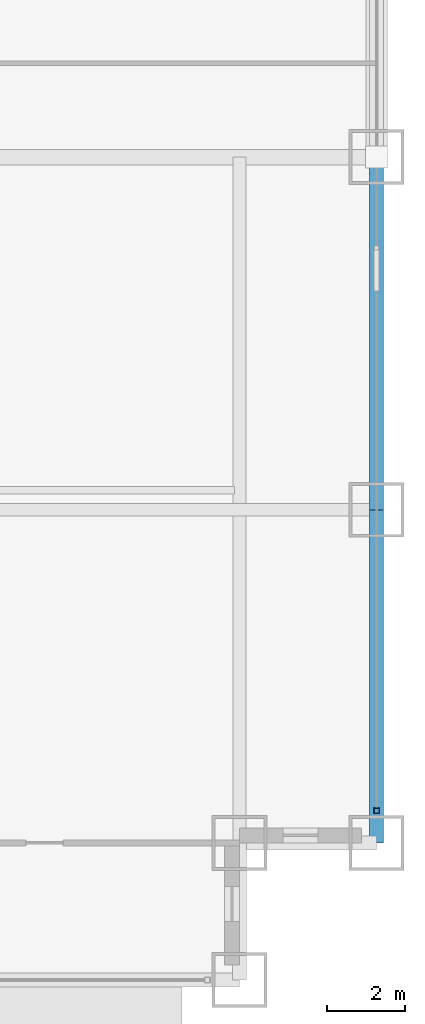
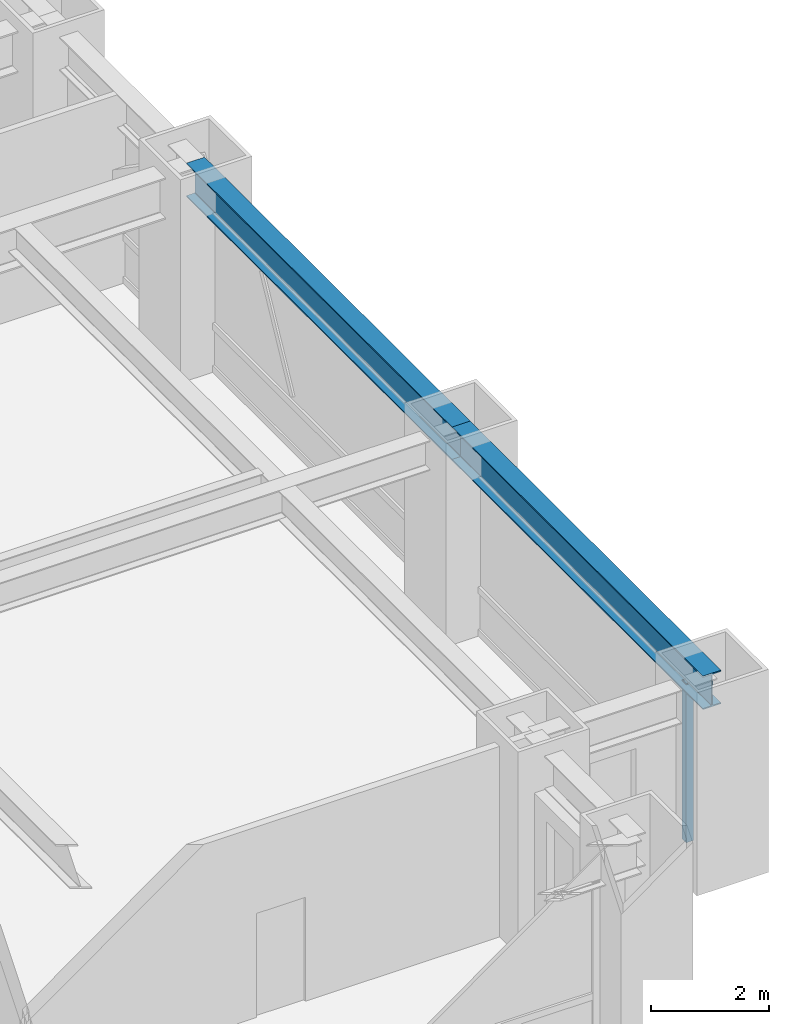
# One storey, part 12 of 32: 2 beams, 1 member, 1 element without a shape of its own.
"""IFC4 building model written with IfcOpenShell, lengths in metres."""

from ifc_helpers import new_model, si_unit, direction, frame, origin, origin_2d, place, context, subcontext, project, spatial, hollow_rectangle, i_section, extrude, source, transform, mapped, material, material_profile, profile_set, type_object, element, aggregate, save


model = new_model("IFC4")

# Units and contexts
model_context = context("Model", 3, precision=1e-05, world=origin(), true_north=direction((0.0, 1.0)))
body_context = subcontext(model_context, "Body", "Model", "MODEL_VIEW")
ifc_project = project(units=[si_unit("LENGTHUNIT", "METRE"), si_unit("AREAUNIT", "SQUARE_METRE"), si_unit("VOLUMEUNIT", "CUBIC_METRE"), si_unit("PLANEANGLEUNIT", "RADIAN"), si_unit("MASSUNIT", "GRAM", prefix="KILO")], contexts=[model_context])

# Site, building, storey
site_placement = place(None, origin())
site = spatial("IfcSite", under=ifc_project, at=site_placement, CompositionType="ELEMENT")
building_placement = place(site_placement, origin())
building = spatial("IfcBuilding", under=site, at=building_placement, Name="Khorayat Bourse Tower", CompositionType="ELEMENT")
storey_placement = place(building_placement, frame((0.0, 0.0, 78.800048828125)))
storey = spatial("IfcBuildingStorey", under=building, at=storey_placement, Name="L17", CompositionType="ELEMENT", Elevation=78.800048828125)

# Beams
ifc_material_1 = material(Name="Steel ASTM A992 Grade 50", Category="steel")
ifc_material_profile_1 = material_profile(ifc_material_1, i_section(OverallWidth=0.35498046875, OverallDepth=0.695068359375, WebThickness=0.015380859375, FlangeThickness=0.02490234375, FilletRadius=0.01806640625, at=origin_2d()), Name="W690X217")
ifc_profile_set_1 = profile_set([ifc_material_profile_1], Name="Steel ASTM A992 Grade 50")
beam_type = type_object("IfcBeamType", Name="BM-SPAN-690", PredefinedType="SPANDREL", material=ifc_profile_set_1)
shared_shape_1 = source(origin(), body_context, "Body", "SweptSolid", [
    extrude(i_section(OverallWidth=0.35498046875, OverallDepth=0.695068359375, WebThickness=0.015380859375, FlangeThickness=0.02490234375, FilletRadius=0.01806640625, at=origin_2d()), origin(), (0.0, 0.0, 1.0), 8.5),
])
beam_1_placement = place(storey_placement, frame((32.0, -28.5, 3.592529296875), z_axis=(0.0, 1.0, 0.0), x_axis=(-1.0, 0.0, 0.0)))
element("IfcBeam", 1, at=beam_1_placement, inside=storey, type_object=beam_type, Name="L17 BM-SPAN-690 BM-L17-SPN-034", PredefinedType="SPANDREL", context=body_context, shape_type="MappedRepresentation", body=[
    mapped(shared_shape_1, transform((0.0, 0.0, 0.0), scale=1.0)),
])
shared_shape_2 = source(origin(), body_context, "Body", "SweptSolid", [
    extrude(i_section(OverallWidth=0.35498046875, OverallDepth=0.695068359375, WebThickness=0.015380859375, FlangeThickness=0.02490234375, FilletRadius=0.01806640625, at=origin_2d()), origin(), (0.0, 0.0, 1.0), 9.0),
])
beam_2_placement = place(storey_placement, frame((32.0, -20.0, 3.592529296875), z_axis=(0.0, 1.0, 0.0), x_axis=(-1.0, 0.0, 0.0)))
element("IfcBeam", 2, at=beam_2_placement, inside=storey, type_object=beam_type, Name="L17 BM-SPAN-690 BM-L17-SPN-035", PredefinedType="SPANDREL", context=body_context, shape_type="MappedRepresentation", body=[
    mapped(shared_shape_2, transform((0.0, 0.0, 0.0), scale=1.0)),
])

# Curtain wall, member
ifc_material_2 = material(Name="Aluminium EN AW-6063 T6", Category="aluminium")
curtain_wall_type = type_object("IfcCurtainWallType", Name="CW-SYS-02", PredefinedType="NOTDEFINED", material=ifc_material_2)
curtain_wall_placement = place(storey_placement, origin())
curtain_wall = element("IfcCurtainWall", 3, at=curtain_wall_placement, inside=storey, type_object=curtain_wall_type, Name="L17 Curtain Wall CW-L17-E1", PredefinedType="NOTDEFINED")
ifc_material_profile_2 = material_profile(ifc_material_2, hollow_rectangle(XDim=0.139892578125, YDim=0.139892578125, WallThickness=0.006103515625, at=origin_2d()), Name="ALU 140x140x6")
ifc_profile_set_2 = profile_set([ifc_material_profile_2], Name="Aluminium EN AW-6063 T6")
member_type = type_object("IfcMemberType", Name="CWM-VERT-140", PredefinedType="MULLION", material=ifc_profile_set_2)
shared_shape_3 = source(origin(), body_context, "Body", "SweptSolid", [
    extrude(hollow_rectangle(XDim=0.139892578125, YDim=0.139892578125, WallThickness=0.006103515625, at=origin_2d()), origin(), (0.0, 0.0, 1.0), 3.2900390625),
])
member_placement = place(storey_placement, frame((32.0, -27.679931640625, 0.0), z_axis=(0.0, 0.0, 1.0), x_axis=(-1.0, 0.0, 0.0)))
member = element("IfcMember", 4, at=member_placement, type_object=member_type, Name="CW-L17-E1 Vertical Mullion 1", PredefinedType="MULLION", context=body_context, shape_type="MappedRepresentation", body=[
    mapped(shared_shape_3, transform((0.0, 0.0, 0.0), scale=1.0)),
])
aggregate(curtain_wall, [member])

save(model, "model.ifc")
